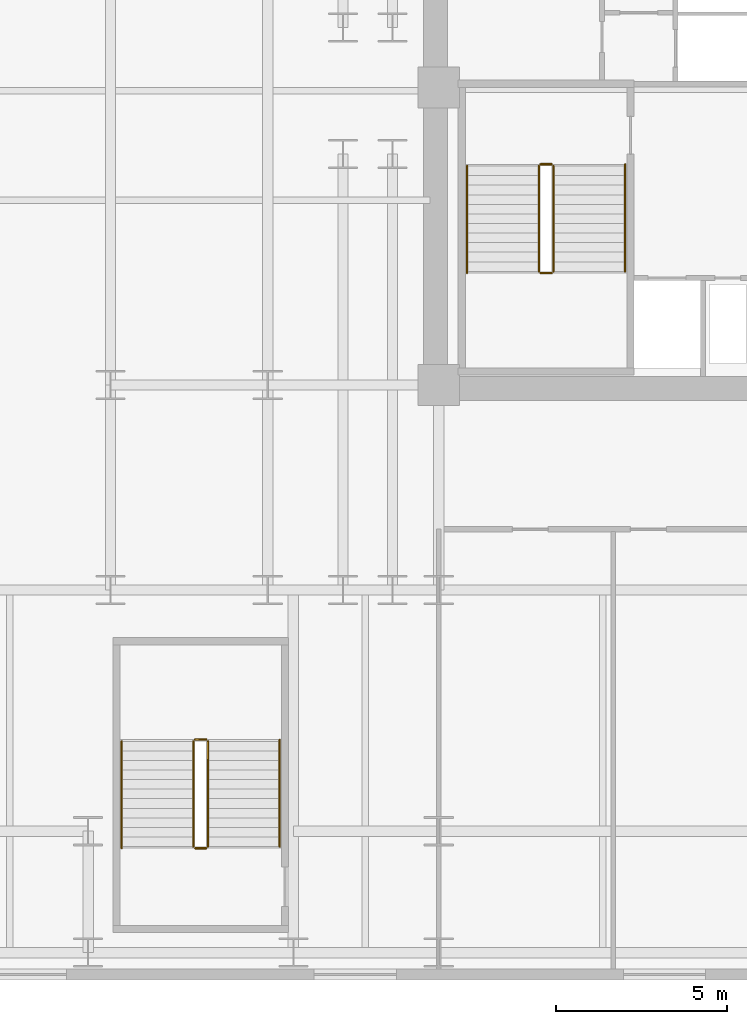
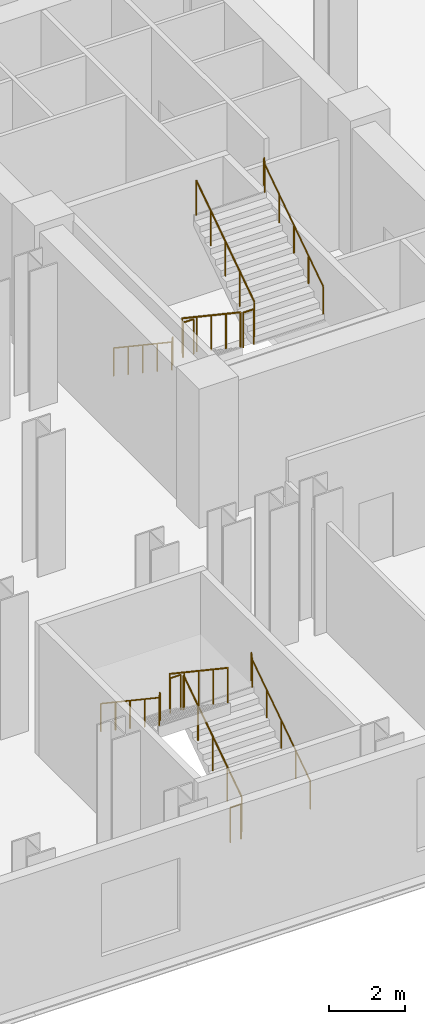
# One storey, part 12 of 13: 12 railings.
"""IFC4 building model written with IfcOpenShell, lengths in metres."""

from ifc_helpers import new_model, si_unit, direction, frame, origin, origin_2d, place, context, subcontext, project, spatial, circle, extrude, material, type_object, element, save


model = new_model("IFC4")

# Units and contexts
model_context = context("Model", 3, precision=1e-05, world=origin(), true_north=direction((0.0, 1.0)))
body_context = subcontext(model_context, "Body", "Model", "MODEL_VIEW")
ifc_project = project(units=[si_unit("LENGTHUNIT", "METRE"), si_unit("AREAUNIT", "SQUARE_METRE"), si_unit("VOLUMEUNIT", "CUBIC_METRE"), si_unit("PLANEANGLEUNIT", "RADIAN"), si_unit("MASSUNIT", "GRAM", prefix="KILO")], contexts=[model_context])

# Site, building, storey
site_placement = place(None, origin())
site = spatial("IfcSite", under=ifc_project, at=site_placement, CompositionType="ELEMENT")
building_placement = place(site_placement, origin())
building = spatial("IfcBuilding", under=site, at=building_placement, Name="Velakula Bourse", CompositionType="ELEMENT")
storey_placement = place(building_placement, frame((0.0, 0.0, 9.60009765625)))
storey = spatial("IfcBuildingStorey", under=building, at=storey_placement, Name="L02", CompositionType="ELEMENT", Elevation=9.60009765625)

# Railings
ifc_material = material(Name="Brushed grade 316 stainless steel", Category="steel")
railing_type_1 = type_object("IfcRailingType", Name="RLG-STAIR-GUARD-1150", PredefinedType="BALUSTRADE", material=ifc_material)
railing_1_placement = place(storey_placement, frame((-15.672119140625, -2.199951171875, 0.1875)))
element("IfcRailing", 1, at=railing_1_placement, inside=storey, type_object=railing_type_1, Name="L02 ST-W1 stair guard 1", PredefinedType="BALUSTRADE", context=body_context, shape_type="SweptSolid", body=[
    extrude(circle(Radius=0.02490234375, at=origin_2d()), frame((0.0, 0.0, 1.125), z_axis=(0.0, -0.830913701846, 0.55640131208), x_axis=(1.0, 0.0, 0.0)), (0.0, 0.0, 1.0), 3.706787109375),
    extrude(circle(Radius=0.02099609375, at=origin_2d()), origin(), (0.0, 0.0, 1.0), 1.099853515625),
    extrude(circle(Radius=0.02099609375, at=origin_2d()), frame((0.0, -0.77001953125, 0.515625)), (0.0, 0.0, 1.0), 1.099853515625),
    extrude(circle(Radius=0.02099609375, at=origin_2d()), frame((0.0, -1.5400390625, 1.03125)), (0.0, 0.0, 1.0), 1.099853515625),
    extrude(circle(Radius=0.02099609375, at=origin_2d()), frame((0.0, -2.31005859375, 1.546875)), (0.0, 0.0, 1.0), 1.099853515625),
    extrude(circle(Radius=0.02099609375, at=origin_2d()), frame((0.0, -3.080078125, 2.0625)), (0.0, 0.0, 1.0), 1.099853515625),
])
railing_2_placement = place(storey_placement, frame((-15.6220703125, -5.330078125, 2.25)))
element("IfcRailing", 2, at=railing_2_placement, inside=storey, type_object=railing_type_1, Name="L02 ST-W1 stair guard 2", PredefinedType="BALUSTRADE", context=body_context, shape_type="SweptSolid", body=[
    extrude(circle(Radius=0.02490234375, at=origin_2d()), frame((0.0, 0.0, 1.125), z_axis=(1.0, 0.0, 0.0), x_axis=(0.0, 1.0, 0.0)), (0.0, 0.0, 1.0), 0.323974609375),
    extrude(circle(Radius=0.02099609375, at=origin_2d()), origin(), (0.0, 0.0, 1.0), 1.099853515625),
    extrude(circle(Radius=0.02099609375, at=origin_2d()), frame((0.323974609375, 0.0, 0.0)), (0.0, 0.0, 1.0), 1.099853515625),
])
railing_3_placement = place(storey_placement, frame((-15.248046875, -5.280029296875, 2.4375)))
element("IfcRailing", 3, at=railing_3_placement, inside=storey, type_object=railing_type_1, Name="L02 ST-W1 stair guard 3", PredefinedType="BALUSTRADE", context=body_context, shape_type="SweptSolid", body=[
    extrude(circle(Radius=0.02490234375, at=origin_2d()), frame((0.0, 0.0, 1.125), z_axis=(0.0, 0.830913701846, 0.55640131208), x_axis=(-1.0, 0.0, 0.0)), (0.0, 0.0, 1.0), 3.706787109375),
    extrude(circle(Radius=0.02099609375, at=origin_2d()), origin(), (0.0, 0.0, 1.0), 1.099853515625),
    extrude(circle(Radius=0.02099609375, at=origin_2d()), frame((0.0, 0.77001953125, 0.515625)), (0.0, 0.0, 1.0), 1.099853515625),
    extrude(circle(Radius=0.02099609375, at=origin_2d()), frame((0.0, 1.5400390625, 1.03125)), (0.0, 0.0, 1.0), 1.099853515625),
    extrude(circle(Radius=0.02099609375, at=origin_2d()), frame((0.0, 2.31005859375, 1.546875)), (0.0, 0.0, 1.0), 1.099853515625),
    extrude(circle(Radius=0.02099609375, at=origin_2d()), frame((0.0, 3.080078125, 2.0625)), (0.0, 0.0, 1.0), 1.099853515625),
])
railing_4_placement = place(storey_placement, frame((-15.6220703125, -2.14990234375, 0.0)))
element("IfcRailing", 4, at=railing_4_placement, inside=storey, type_object=railing_type_1, Name="L02 ST-W1 stair guard 4", PredefinedType="BALUSTRADE", context=body_context, shape_type="SweptSolid", body=[
    extrude(circle(Radius=0.02490234375, at=origin_2d()), frame((0.0, 0.0, 1.125), z_axis=(1.0, 0.0, 0.0), x_axis=(0.0, 1.0, 0.0)), (0.0, 0.0, 1.0), 0.323974609375),
    extrude(circle(Radius=0.02099609375, at=origin_2d()), origin(), (0.0, 0.0, 1.0), 1.099853515625),
    extrude(circle(Radius=0.02099609375, at=origin_2d()), frame((0.323974609375, 0.0, 0.0)), (0.0, 0.0, 1.0), 1.099853515625),
])
railing_5_placement = place(storey_placement, frame((-25.347900390625, -22.10009765625, 0.1875)))
element("IfcRailing", 5, at=railing_5_placement, inside=storey, type_object=railing_type_1, Name="L02 ST-P1 stair guard 1", PredefinedType="BALUSTRADE", context=body_context, shape_type="SweptSolid", body=[
    extrude(circle(Radius=0.02490234375, at=origin_2d()), frame((0.0, 0.0, 1.125), z_axis=(0.0, 0.830913701846, 0.55640131208), x_axis=(-1.0, 0.0, 0.0)), (0.0, 0.0, 1.0), 3.706787109375),
    extrude(circle(Radius=0.02099609375, at=origin_2d()), origin(), (0.0, 0.0, 1.0), 1.099853515625),
    extrude(circle(Radius=0.02099609375, at=origin_2d()), frame((0.0, 0.77001953125, 0.515625)), (0.0, 0.0, 1.0), 1.099853515625),
    extrude(circle(Radius=0.02099609375, at=origin_2d()), frame((0.0, 1.5400390625, 1.03125)), (0.0, 0.0, 1.0), 1.099853515625),
    extrude(circle(Radius=0.02099609375, at=origin_2d()), frame((0.0, 2.31005859375, 1.546875)), (0.0, 0.0, 1.0), 1.099853515625),
    extrude(circle(Radius=0.02099609375, at=origin_2d()), frame((0.0, 3.080078125, 2.0625)), (0.0, 0.0, 1.0), 1.099853515625),
])
railing_6_placement = place(storey_placement, frame((-25.39794921875, -18.969970703125, 2.25)))
element("IfcRailing", 6, at=railing_6_placement, inside=storey, type_object=railing_type_1, Name="L02 ST-P1 stair guard 2", PredefinedType="BALUSTRADE", context=body_context, shape_type="SweptSolid", body=[
    extrude(circle(Radius=0.02490234375, at=origin_2d()), frame((0.0, 0.0, 1.125), z_axis=(-1.0, 0.0, 0.0), x_axis=(0.0, -1.0, 0.0)), (0.0, 0.0, 1.0), 0.323974609375),
    extrude(circle(Radius=0.02099609375, at=origin_2d()), origin(), (0.0, 0.0, 1.0), 1.099853515625),
    extrude(circle(Radius=0.02099609375, at=origin_2d()), frame((-0.323974609375, 0.0, 0.0)), (0.0, 0.0, 1.0), 1.099853515625),
])
railing_7_placement = place(storey_placement, frame((-25.77197265625, -19.02001953125, 2.4375)))
element("IfcRailing", 7, at=railing_7_placement, inside=storey, type_object=railing_type_1, Name="L02 ST-P1 stair guard 3", PredefinedType="BALUSTRADE", context=body_context, shape_type="SweptSolid", body=[
    extrude(circle(Radius=0.02490234375, at=origin_2d()), frame((0.0, 0.0, 1.125), z_axis=(0.0, -0.830913701846, 0.55640131208), x_axis=(1.0, 0.0, 0.0)), (0.0, 0.0, 1.0), 3.706787109375),
    extrude(circle(Radius=0.02099609375, at=origin_2d()), origin(), (0.0, 0.0, 1.0), 1.099853515625),
    extrude(circle(Radius=0.02099609375, at=origin_2d()), frame((0.0, -0.77001953125, 0.515625)), (0.0, 0.0, 1.0), 1.099853515625),
    extrude(circle(Radius=0.02099609375, at=origin_2d()), frame((0.0, -1.5400390625, 1.03125)), (0.0, 0.0, 1.0), 1.099853515625),
    extrude(circle(Radius=0.02099609375, at=origin_2d()), frame((0.0, -2.31005859375, 1.546875)), (0.0, 0.0, 1.0), 1.099853515625),
    extrude(circle(Radius=0.02099609375, at=origin_2d()), frame((0.0, -3.080078125, 2.0625)), (0.0, 0.0, 1.0), 1.099853515625),
])
railing_8_placement = place(storey_placement, frame((-25.39794921875, -22.14990234375, 0.0)))
element("IfcRailing", 8, at=railing_8_placement, inside=storey, type_object=railing_type_1, Name="L02 ST-P1 stair guard 4", PredefinedType="BALUSTRADE", context=body_context, shape_type="SweptSolid", body=[
    extrude(circle(Radius=0.02490234375, at=origin_2d()), frame((0.0, 0.0, 1.125), z_axis=(-1.0, 0.0, 0.0), x_axis=(0.0, -1.0, 0.0)), (0.0, 0.0, 1.0), 0.323974609375),
    extrude(circle(Radius=0.02099609375, at=origin_2d()), origin(), (0.0, 0.0, 1.0), 1.099853515625),
    extrude(circle(Radius=0.02099609375, at=origin_2d()), frame((-0.323974609375, 0.0, 0.0)), (0.0, 0.0, 1.0), 1.099853515625),
])
railing_type_2 = type_object("IfcRailingType", Name="RLG-STAIR-HAND-920", PredefinedType="HANDRAIL", material=ifc_material)
railing_9_placement = place(storey_placement, frame((-17.77001953125, -2.199951171875, 0.1875)))
element("IfcRailing", 9, at=railing_9_placement, inside=storey, type_object=railing_type_2, Name="L02 ST-W1 stair handrail 1", PredefinedType="HANDRAIL", context=body_context, shape_type="SweptSolid", body=[
    extrude(circle(Radius=0.02099609375, at=origin_2d()), frame((0.0, 0.0, 0.89892578125), z_axis=(0.0, -0.830913701846, 0.55640131208), x_axis=(1.0, 0.0, 0.0)), (0.0, 0.0, 1.0), 3.706787109375),
    extrude(circle(Radius=0.02099609375, at=origin_2d()), frame((0.0, -3.080078125, 2.96142578125), z_axis=(0.0, -0.208833338674, 0.97795124452), x_axis=(1.0, 0.0, 0.0)), (0.0, 0.0, 1.0), 0.191650390625),
    extrude(circle(Radius=0.02099609375, at=origin_2d()), frame((0.0, -3.1201171875, 3.14892578125), z_axis=(0.0, -1.0, 0.0), x_axis=(1.0, 0.0, 0.0)), (0.0, 0.0, 1.0), 0.0048828125),
    extrude(circle(Radius=0.02099609375, at=origin_2d()), origin(), (0.0, 0.0, 1.0), 0.8779296875),
    extrude(circle(Radius=0.02099609375, at=origin_2d()), frame((0.0, -0.77001953125, 0.515625)), (0.0, 0.0, 1.0), 0.8779296875),
    extrude(circle(Radius=0.02099609375, at=origin_2d()), frame((0.0, -1.5400390625, 1.03125)), (0.0, 0.0, 1.0), 0.8779296875),
    extrude(circle(Radius=0.02099609375, at=origin_2d()), frame((0.0, -2.31005859375, 1.546875)), (0.0, 0.0, 1.0), 0.8779296875),
    extrude(circle(Radius=0.02099609375, at=origin_2d()), frame((0.0, -3.080078125, 2.0625)), (0.0, 0.0, 1.0), 0.8779296875),
    extrude(circle(Radius=0.02099609375, at=origin_2d()), frame((0.0, -3.1201171875, 2.25)), (0.0, 0.0, 1.0), 0.8779296875),
    extrude(circle(Radius=0.02099609375, at=origin_2d()), frame((0.0, -3.125, 2.25)), (0.0, 0.0, 1.0), 0.8779296875),
])
for number, where, name in (
    (10, (-13.14990234375, -5.280029296875, 2.4375), "L02 ST-W1 stair handrail 2"),
    (11, (-23.25, -22.10009765625, 0.1875), "L02 ST-P1 stair handrail 1"),
):
    element("IfcRailing", number, at=place(storey_placement, frame(where)), inside=storey, type_object=railing_type_2, Name=name, PredefinedType="HANDRAIL", context=body_context, shape_type="SweptSolid", body=[
        extrude(circle(Radius=0.02099609375, at=origin_2d()), frame((0.0, 0.0, 0.89892578125), z_axis=(0.0, 0.830913701846, 0.55640131208), x_axis=(-1.0, 0.0, 0.0)), (0.0, 0.0, 1.0), 3.706787109375),
        extrude(circle(Radius=0.02099609375, at=origin_2d()), frame((0.0, 3.080078125, 2.96142578125), z_axis=(0.0, 0.208833338674, 0.97795124452), x_axis=(-1.0, 0.0, 0.0)), (0.0, 0.0, 1.0), 0.191650390625),
        extrude(circle(Radius=0.02099609375, at=origin_2d()), frame((0.0, 3.1201171875, 3.14892578125), z_axis=(0.0, 1.0, 0.0), x_axis=(-1.0, 0.0, 0.0)), (0.0, 0.0, 1.0), 0.0048828125),
        extrude(circle(Radius=0.02099609375, at=origin_2d()), origin(), (0.0, 0.0, 1.0), 0.8779296875),
        extrude(circle(Radius=0.02099609375, at=origin_2d()), frame((0.0, 0.77001953125, 0.515625)), (0.0, 0.0, 1.0), 0.8779296875),
        extrude(circle(Radius=0.02099609375, at=origin_2d()), frame((0.0, 1.5400390625, 1.03125)), (0.0, 0.0, 1.0), 0.8779296875),
        extrude(circle(Radius=0.02099609375, at=origin_2d()), frame((0.0, 2.31005859375, 1.546875)), (0.0, 0.0, 1.0), 0.8779296875),
        extrude(circle(Radius=0.02099609375, at=origin_2d()), frame((0.0, 3.080078125, 2.0625)), (0.0, 0.0, 1.0), 0.8779296875),
        extrude(circle(Radius=0.02099609375, at=origin_2d()), frame((0.0, 3.1201171875, 2.25)), (0.0, 0.0, 1.0), 0.8779296875),
        extrude(circle(Radius=0.02099609375, at=origin_2d()), frame((0.0, 3.125, 2.25)), (0.0, 0.0, 1.0), 0.8779296875),
    ])
railing_10_placement = place(storey_placement, frame((-27.8701171875, -19.02001953125, 2.4375)))
element("IfcRailing", 12, at=railing_10_placement, inside=storey, type_object=railing_type_2, Name="L02 ST-P1 stair handrail 2", PredefinedType="HANDRAIL", context=body_context, shape_type="SweptSolid", body=[
    extrude(circle(Radius=0.02099609375, at=origin_2d()), frame((0.0, 0.0, 0.89892578125), z_axis=(0.0, -0.830913701846, 0.55640131208), x_axis=(1.0, 0.0, 0.0)), (0.0, 0.0, 1.0), 3.706787109375),
    extrude(circle(Radius=0.02099609375, at=origin_2d()), frame((0.0, -3.080078125, 2.96142578125), z_axis=(0.0, -0.20761501323, 0.97821061448), x_axis=(1.0, 0.0, 0.0)), (0.0, 0.0, 1.0), 0.191650390625),
    extrude(circle(Radius=0.02099609375, at=origin_2d()), frame((0.0, -3.119873046875, 3.14892578125), z_axis=(0.0, -1.0, 0.0), x_axis=(1.0, 0.0, 0.0)), (0.0, 0.0, 1.0), 0.005126953125),
    extrude(circle(Radius=0.02099609375, at=origin_2d()), origin(), (0.0, 0.0, 1.0), 0.8779296875),
    extrude(circle(Radius=0.02099609375, at=origin_2d()), frame((0.0, -0.77001953125, 0.515625)), (0.0, 0.0, 1.0), 0.8779296875),
    extrude(circle(Radius=0.02099609375, at=origin_2d()), frame((0.0, -1.5400390625, 1.03125)), (0.0, 0.0, 1.0), 0.8779296875),
    extrude(circle(Radius=0.02099609375, at=origin_2d()), frame((0.0, -2.31005859375, 1.546875)), (0.0, 0.0, 1.0), 0.8779296875),
    extrude(circle(Radius=0.02099609375, at=origin_2d()), frame((0.0, -3.080078125, 2.0625)), (0.0, 0.0, 1.0), 0.8779296875),
    extrude(circle(Radius=0.02099609375, at=origin_2d()), frame((0.0, -3.119873046875, 2.25)), (0.0, 0.0, 1.0), 0.8779296875),
    extrude(circle(Radius=0.02099609375, at=origin_2d()), frame((0.0, -3.125, 2.25)), (0.0, 0.0, 1.0), 0.8779296875),
])

save(model, "model.ifc")
